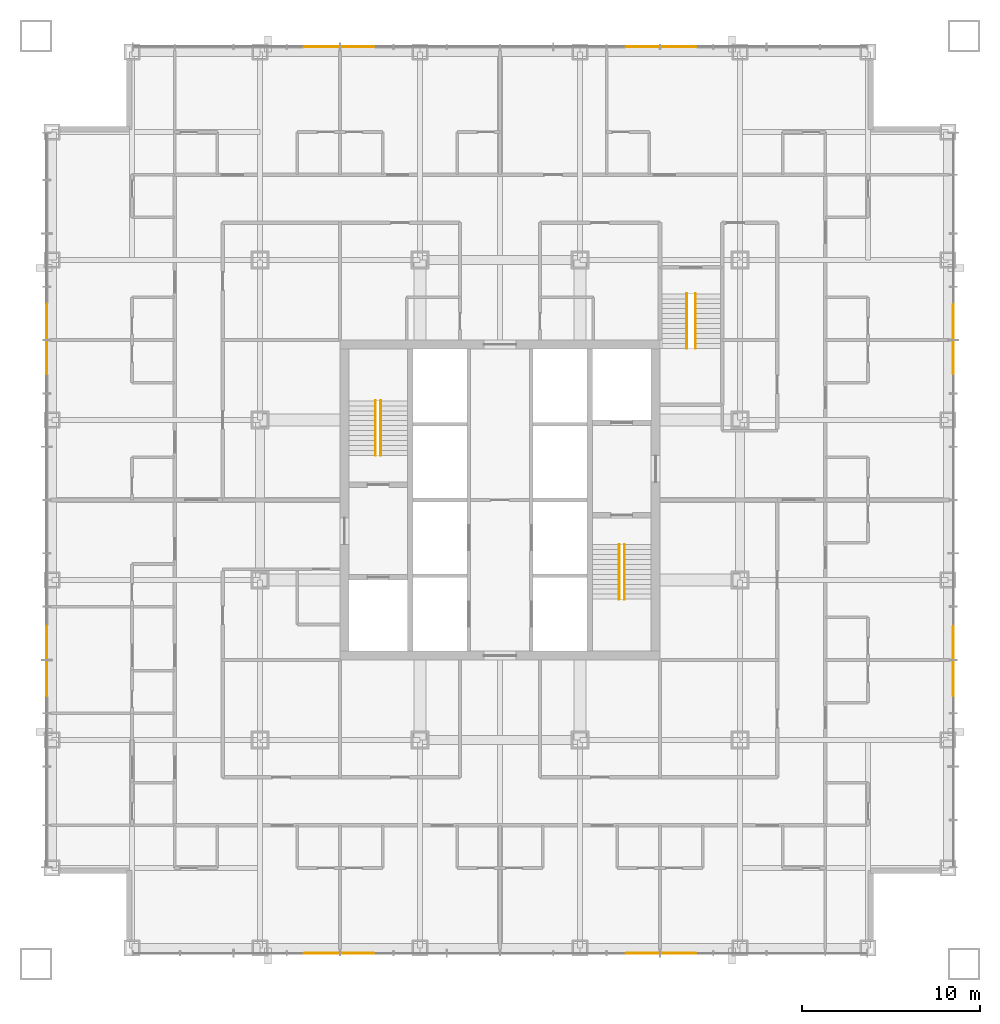
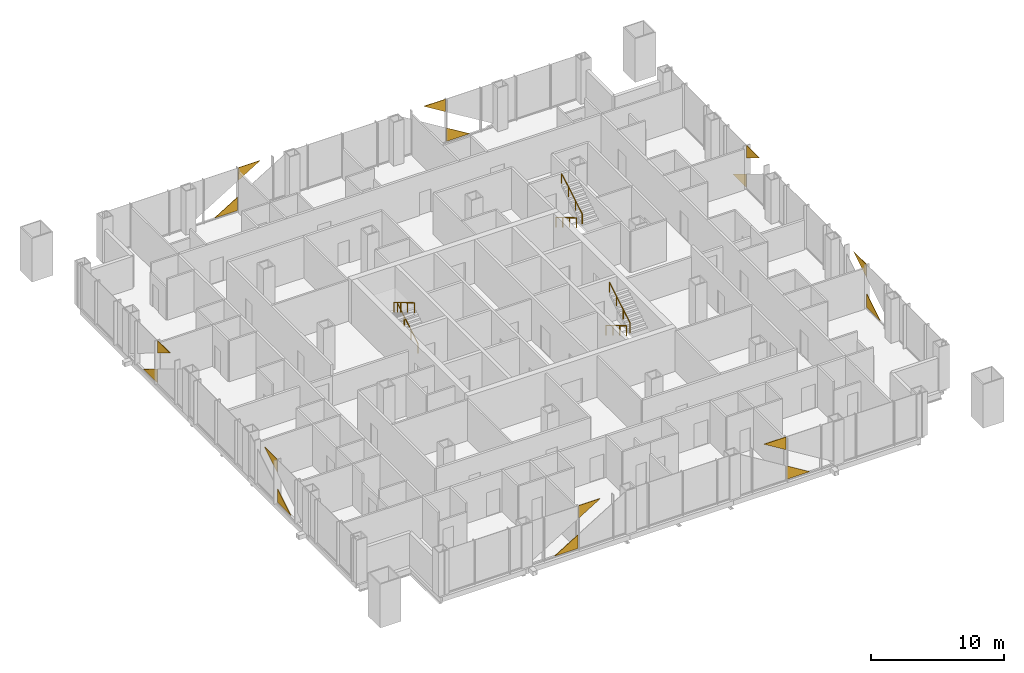
# One storey, part 13 of 13: 16 coverings, 6 railings.
"""IFC4 building model written with IfcOpenShell, lengths in metres."""

from ifc_helpers import new_model, si_unit, direction, frame, origin, origin_2d, place, context, subcontext, project, spatial, polyline, circle, outline, extrude, material, layer, layer_set, type_object, element, save


model = new_model("IFC4")

# Units and contexts
model_context = context("Model", 3, precision=1e-05, world=origin(), true_north=direction((0.0, 1.0)))
body_context = subcontext(model_context, "Body", "Model", "MODEL_VIEW")
ifc_project = project(units=[si_unit("LENGTHUNIT", "METRE"), si_unit("AREAUNIT", "SQUARE_METRE"), si_unit("VOLUMEUNIT", "CUBIC_METRE"), si_unit("PLANEANGLEUNIT", "RADIAN"), si_unit("MASSUNIT", "GRAM", prefix="KILO")], contexts=[model_context])

# Site, building, storey
site_placement = place(None, origin())
site = spatial("IfcSite", under=ifc_project, at=site_placement, CompositionType="ELEMENT")
building_placement = place(site_placement, origin())
building = spatial("IfcBuilding", under=site, at=building_placement, Name="Malebo Sky Hospital", CompositionType="ELEMENT")
storey_placement = place(building_placement, frame((0.0, 0.0, 39.0)))
storey = spatial("IfcBuildingStorey", under=building, at=storey_placement, Name="L08", CompositionType="ELEMENT", Elevation=39.0)

# Coverings
ifc_material_1 = material(Name="Anodised aluminium, natural silver insulated infill panel", Category="aluminium")
ifc_layer = layer(ifc_material_1, 0.0400390625)
ifc_layer_set = layer_set([ifc_layer], Name="BRACE INFILL PANEL 40")
covering_type = type_object("IfcCoveringType", Name="BRACE INFILL PANEL 40", PredefinedType="CLADDING", material=ifc_layer_set)
covering_1_placement = place(storey_placement, frame((49.96240234375, 87.5, 0.10009765625), z_axis=(0.0, 0.0, 1.0), x_axis=(1.0, 0.0, 0.0)))
element("IfcCovering", 1, at=covering_1_placement, inside=storey, type_object=covering_type, Name="Brace infill panel 4.1", PredefinedType="CLADDING", context=body_context, shape_type="SweptSolid", body=[
    extrude(outline(polyline([(-1.0, 0.0), (1.000244140625, 0.0), (1.000244140625, 1.226318359375), (-1.0, 0.0)])), frame((0.0, 0.02001953125, 0.0), z_axis=(0.0, -1.0, 0.0), x_axis=(1.0, 0.0, 0.0)), (0.0, 0.0, 1.0), 0.0400390625),
])
covering_2_placement = place(storey_placement, frame((51.975830078125, 87.5, 2.839599609375), z_axis=(0.0, 0.0, 1.0), x_axis=(1.0, 0.0, 0.0)))
element("IfcCovering", 2, at=covering_2_placement, inside=storey, type_object=covering_type, Name="Brace infill panel 5.1", PredefinedType="CLADDING", context=body_context, shape_type="SweptSolid", body=[
    extrude(outline(polyline([(-0.9384765625, 0.0), (0.938232421875, 1.150390625), (-0.9384765625, 1.150390625), (-0.9384765625, 0.0)])), frame((0.0, 0.02001953125, 0.0), z_axis=(0.0, -1.0, 0.0), x_axis=(1.0, 0.0, 0.0)), (0.0, 0.0, 1.0), 0.0400390625),
])
covering_3_placement = place(storey_placement, frame((68.024169921875, 87.5, 2.839599609375), z_axis=(0.0, 0.0, 1.0), x_axis=(1.0, 0.0, 0.0)))
element("IfcCovering", 3, at=covering_3_placement, inside=storey, type_object=covering_type, Name="Brace infill panel 10.1", PredefinedType="CLADDING", context=body_context, shape_type="SweptSolid", body=[
    extrude(outline(polyline([(0.9384765625, 0.0), (0.9384765625, 1.150390625), (-0.938232421875, 1.150390625), (0.9384765625, 0.0)])), frame((0.0, 0.02001953125, 0.0), z_axis=(0.0, -1.0, 0.0), x_axis=(1.0, 0.0, 0.0)), (0.0, 0.0, 1.0), 0.0400390625),
])
covering_4_placement = place(storey_placement, frame((70.03759765625, 87.5, 0.10009765625), z_axis=(0.0, 0.0, 1.0), x_axis=(1.0, 0.0, 0.0)))
element("IfcCovering", 4, at=covering_4_placement, inside=storey, type_object=covering_type, Name="Brace infill panel 11.1", PredefinedType="CLADDING", context=body_context, shape_type="SweptSolid", body=[
    extrude(outline(polyline([(-1.000244140625, 0.0), (1.0, 0.0), (-1.000244140625, 1.226318359375), (-1.000244140625, 0.0)])), frame((0.0, 0.02001953125, 0.0), z_axis=(0.0, -1.0, 0.0), x_axis=(1.0, 0.0, 0.0)), (0.0, 0.0, 1.0), 0.0400390625),
])
covering_5_placement = place(storey_placement, frame((34.5, 51.96240234375, 0.10009765625), z_axis=(0.0, 0.0, 1.0), x_axis=(0.0, 1.0, 0.0)))
element("IfcCovering", 5, at=covering_5_placement, inside=storey, type_object=covering_type, Name="Brace infill panel 4.1", PredefinedType="CLADDING", context=body_context, shape_type="SweptSolid", body=[
    extrude(outline(polyline([(-1.0, 0.0), (1.000244140625, 0.0), (1.000244140625, 1.226318359375), (-1.0, 0.0)])), frame((0.0, 0.02001953125, 0.0), z_axis=(0.0, -1.0, 0.0), x_axis=(1.0, 0.0, 0.0)), (0.0, 0.0, 1.0), 0.0400390625),
])
covering_6_placement = place(storey_placement, frame((34.5, 53.975830078125, 2.839599609375), z_axis=(0.0, 0.0, 1.0), x_axis=(0.0, 1.0, 0.0)))
element("IfcCovering", 6, at=covering_6_placement, inside=storey, type_object=covering_type, Name="Brace infill panel 5.1", PredefinedType="CLADDING", context=body_context, shape_type="SweptSolid", body=[
    extrude(outline(polyline([(-0.9384765625, 0.0), (0.938232421875, 1.150390625), (-0.9384765625, 1.150390625), (-0.9384765625, 0.0)])), frame((0.0, 0.02001953125, 0.0), z_axis=(0.0, -1.0, 0.0), x_axis=(1.0, 0.0, 0.0)), (0.0, 0.0, 1.0), 0.0400390625),
])
covering_7_placement = place(storey_placement, frame((34.5, 70.024169921875, 2.839599609375), z_axis=(0.0, 0.0, 1.0), x_axis=(0.0, 1.0, 0.0)))
element("IfcCovering", 7, at=covering_7_placement, inside=storey, type_object=covering_type, Name="Brace infill panel 10.1", PredefinedType="CLADDING", context=body_context, shape_type="SweptSolid", body=[
    extrude(outline(polyline([(0.9384765625, 0.0), (0.9384765625, 1.150390625), (-0.938232421875, 1.150390625), (0.9384765625, 0.0)])), frame((0.0, 0.02001953125, 0.0), z_axis=(0.0, -1.0, 0.0), x_axis=(1.0, 0.0, 0.0)), (0.0, 0.0, 1.0), 0.0400390625),
])
covering_8_placement = place(storey_placement, frame((34.5, 72.03759765625, 0.10009765625), z_axis=(0.0, 0.0, 1.0), x_axis=(0.0, 1.0, 0.0)))
element("IfcCovering", 8, at=covering_8_placement, inside=storey, type_object=covering_type, Name="Brace infill panel 11.1", PredefinedType="CLADDING", context=body_context, shape_type="SweptSolid", body=[
    extrude(outline(polyline([(-1.000244140625, 0.0), (1.0, 0.0), (-1.000244140625, 1.226318359375), (-1.000244140625, 0.0)])), frame((0.0, 0.02001953125, 0.0), z_axis=(0.0, -1.0, 0.0), x_axis=(1.0, 0.0, 0.0)), (0.0, 0.0, 1.0), 0.0400390625),
])
covering_9_placement = place(storey_placement, frame((70.03759765625, 36.5, 0.10009765625), z_axis=(0.0, 0.0, 1.0), x_axis=(-1.0, 0.0, 0.0)))
element("IfcCovering", 9, at=covering_9_placement, inside=storey, type_object=covering_type, Name="Brace infill panel 4.1", PredefinedType="CLADDING", context=body_context, shape_type="SweptSolid", body=[
    extrude(outline(polyline([(-1.0, 0.0), (1.000244140625, 0.0), (1.000244140625, 1.226318359375), (-1.0, 0.0)])), frame((0.0, 0.02001953125, 0.0), z_axis=(0.0, -1.0, 0.0), x_axis=(1.0, 0.0, 0.0)), (0.0, 0.0, 1.0), 0.0400390625),
])
covering_10_placement = place(storey_placement, frame((68.024169921875, 36.5, 2.839599609375), z_axis=(0.0, 0.0, 1.0), x_axis=(-1.0, 0.0, 0.0)))
element("IfcCovering", 10, at=covering_10_placement, inside=storey, type_object=covering_type, Name="Brace infill panel 5.1", PredefinedType="CLADDING", context=body_context, shape_type="SweptSolid", body=[
    extrude(outline(polyline([(-0.9384765625, 0.0), (0.938232421875, 1.150390625), (-0.9384765625, 1.150390625), (-0.9384765625, 0.0)])), frame((0.0, 0.02001953125, 0.0), z_axis=(0.0, -1.0, 0.0), x_axis=(1.0, 0.0, 0.0)), (0.0, 0.0, 1.0), 0.0400390625),
])
covering_11_placement = place(storey_placement, frame((51.975830078125, 36.5, 2.839599609375), z_axis=(0.0, 0.0, 1.0), x_axis=(-1.0, 0.0, 0.0)))
element("IfcCovering", 11, at=covering_11_placement, inside=storey, type_object=covering_type, Name="Brace infill panel 10.1", PredefinedType="CLADDING", context=body_context, shape_type="SweptSolid", body=[
    extrude(outline(polyline([(0.9384765625, 0.0), (0.9384765625, 1.150390625), (-0.938232421875, 1.150390625), (0.9384765625, 0.0)])), frame((0.0, 0.02001953125, 0.0), z_axis=(0.0, -1.0, 0.0), x_axis=(1.0, 0.0, 0.0)), (0.0, 0.0, 1.0), 0.0400390625),
])
covering_12_placement = place(storey_placement, frame((49.96240234375, 36.5, 0.10009765625), z_axis=(0.0, 0.0, 1.0), x_axis=(-1.0, 0.0, 0.0)))
element("IfcCovering", 12, at=covering_12_placement, inside=storey, type_object=covering_type, Name="Brace infill panel 11.1", PredefinedType="CLADDING", context=body_context, shape_type="SweptSolid", body=[
    extrude(outline(polyline([(-1.000244140625, 0.0), (1.0, 0.0), (-1.000244140625, 1.226318359375), (-1.000244140625, 0.0)])), frame((0.0, 0.02001953125, 0.0), z_axis=(0.0, -1.0, 0.0), x_axis=(1.0, 0.0, 0.0)), (0.0, 0.0, 1.0), 0.0400390625),
])
covering_13_placement = place(storey_placement, frame((85.5, 72.03759765625, 0.10009765625), z_axis=(0.0, 0.0, 1.0), x_axis=(0.0, -1.0, 0.0)))
element("IfcCovering", 13, at=covering_13_placement, inside=storey, type_object=covering_type, Name="Brace infill panel 4.1", PredefinedType="CLADDING", context=body_context, shape_type="SweptSolid", body=[
    extrude(outline(polyline([(-1.0, 0.0), (1.000244140625, 0.0), (1.000244140625, 1.226318359375), (-1.0, 0.0)])), frame((0.0, 0.02001953125, 0.0), z_axis=(0.0, -1.0, 0.0), x_axis=(1.0, 0.0, 0.0)), (0.0, 0.0, 1.0), 0.0400390625),
])
covering_14_placement = place(storey_placement, frame((85.5, 70.024169921875, 2.839599609375), z_axis=(0.0, 0.0, 1.0), x_axis=(0.0, -1.0, 0.0)))
element("IfcCovering", 14, at=covering_14_placement, inside=storey, type_object=covering_type, Name="Brace infill panel 5.1", PredefinedType="CLADDING", context=body_context, shape_type="SweptSolid", body=[
    extrude(outline(polyline([(-0.9384765625, 0.0), (0.938232421875, 1.150390625), (-0.9384765625, 1.150390625), (-0.9384765625, 0.0)])), frame((0.0, 0.02001953125, 0.0), z_axis=(0.0, -1.0, 0.0), x_axis=(1.0, 0.0, 0.0)), (0.0, 0.0, 1.0), 0.0400390625),
])
covering_15_placement = place(storey_placement, frame((85.5, 53.975830078125, 2.839599609375), z_axis=(0.0, 0.0, 1.0), x_axis=(0.0, -1.0, 0.0)))
element("IfcCovering", 15, at=covering_15_placement, inside=storey, type_object=covering_type, Name="Brace infill panel 10.1", PredefinedType="CLADDING", context=body_context, shape_type="SweptSolid", body=[
    extrude(outline(polyline([(0.9384765625, 0.0), (0.9384765625, 1.150390625), (-0.938232421875, 1.150390625), (0.9384765625, 0.0)])), frame((0.0, 0.02001953125, 0.0), z_axis=(0.0, -1.0, 0.0), x_axis=(1.0, 0.0, 0.0)), (0.0, 0.0, 1.0), 0.0400390625),
])
covering_16_placement = place(storey_placement, frame((85.5, 51.96240234375, 0.10009765625), z_axis=(0.0, 0.0, 1.0), x_axis=(0.0, -1.0, 0.0)))
element("IfcCovering", 16, at=covering_16_placement, inside=storey, type_object=covering_type, Name="Brace infill panel 11.1", PredefinedType="CLADDING", context=body_context, shape_type="SweptSolid", body=[
    extrude(outline(polyline([(-1.000244140625, 0.0), (1.0, 0.0), (-1.000244140625, 1.226318359375), (-1.000244140625, 0.0)])), frame((0.0, 0.02001953125, 0.0), z_axis=(0.0, -1.0, 0.0), x_axis=(1.0, 0.0, 0.0)), (0.0, 0.0, 1.0), 0.0400390625),
])

# Railings
ifc_material_2 = material(Name="Stainless steel tube", Category="steel")
railing_type = type_object("IfcRailingType", Name="STAIR HANDRAIL 900", PredefinedType="HANDRAIL", material=ifc_material_2)
railing_1_placement = place(storey_placement, frame((53.300048828125, 64.5, 0.166748046875)))
element("IfcRailing", 17, at=railing_1_placement, inside=storey, type_object=railing_type, Name="Stair handrail S1 flight 1", PredefinedType="HANDRAIL", context=body_context, shape_type="SweptSolid", body=[
    extrude(circle(Radius=0.02392578125, at=origin_2d()), frame((0.0, 0.0, 0.8759765625), z_axis=(0.0, 0.859308565015, 0.511457515432), x_axis=(-1.0, 0.0, 0.0)), (0.0, 0.0, 1.0), 3.58447265625),
    extrude(circle(Radius=0.02099609375, at=origin_2d()), origin(), (0.0, 0.0, 1.0), 0.851806640625),
    extrude(circle(Radius=0.02099609375, at=origin_2d()), frame((0.0, 1.026611328125, 0.611083984375)), (0.0, 0.0, 1.0), 0.851806640625),
    extrude(circle(Radius=0.02099609375, at=origin_2d()), frame((0.0, 2.053466796875, 1.22216796875)), (0.0, 0.0, 1.0), 0.851806640625),
    extrude(circle(Radius=0.02099609375, at=origin_2d()), frame((0.0, 3.080078125, 1.833251953125)), (0.0, 0.0, 1.0), 0.851806640625),
])
for number, where, name in (
    (18, (53.0, 67.580078125, 2.166748046875), "Stair handrail S1 flight 2"),
    (19, (66.699951171875, 59.5, 0.166748046875), "Stair handrail S2 flight 1"),
):
    element("IfcRailing", number, at=place(storey_placement, frame(where)), inside=storey, type_object=railing_type, Name=name, PredefinedType="HANDRAIL", context=body_context, shape_type="SweptSolid", body=[
        extrude(circle(Radius=0.02392578125, at=origin_2d()), frame((0.0, 0.0, 0.8759765625), z_axis=(0.0, -0.859308565015, 0.511457515432), x_axis=(1.0, 0.0, 0.0)), (0.0, 0.0, 1.0), 3.58447265625),
        extrude(circle(Radius=0.02099609375, at=origin_2d()), origin(), (0.0, 0.0, 1.0), 0.851806640625),
        extrude(circle(Radius=0.02099609375, at=origin_2d()), frame((0.0, -1.026611328125, 0.611083984375)), (0.0, 0.0, 1.0), 0.851806640625),
        extrude(circle(Radius=0.02099609375, at=origin_2d()), frame((0.0, -2.053466796875, 1.22216796875)), (0.0, 0.0, 1.0), 0.851806640625),
        extrude(circle(Radius=0.02099609375, at=origin_2d()), frame((0.0, -3.080078125, 1.833251953125)), (0.0, 0.0, 1.0), 0.851806640625),
    ])
railing_2_placement = place(storey_placement, frame((67.0, 56.419921875, 2.166748046875)))
element("IfcRailing", 20, at=railing_2_placement, inside=storey, type_object=railing_type, Name="Stair handrail S2 flight 2", PredefinedType="HANDRAIL", context=body_context, shape_type="SweptSolid", body=[
    extrude(circle(Radius=0.02392578125, at=origin_2d()), frame((0.0, 0.0, 0.8759765625), z_axis=(0.0, 0.859308565015, 0.511457515432), x_axis=(-1.0, 0.0, 0.0)), (0.0, 0.0, 1.0), 3.58447265625),
    extrude(circle(Radius=0.02099609375, at=origin_2d()), origin(), (0.0, 0.0, 1.0), 0.851806640625),
    extrude(circle(Radius=0.02099609375, at=origin_2d()), frame((0.0, 1.026611328125, 0.611083984375)), (0.0, 0.0, 1.0), 0.851806640625),
    extrude(circle(Radius=0.02099609375, at=origin_2d()), frame((0.0, 2.053466796875, 1.22216796875)), (0.0, 0.0, 1.0), 0.851806640625),
    extrude(circle(Radius=0.02099609375, at=origin_2d()), frame((0.0, 3.080078125, 1.833251953125)), (0.0, 0.0, 1.0), 0.851806640625),
])
railing_3_placement = place(storey_placement, frame((70.5, 73.60009765625, 0.166748046875)))
element("IfcRailing", 21, at=railing_3_placement, inside=storey, type_object=railing_type, Name="Stair handrail S3 flight 1", PredefinedType="HANDRAIL", context=body_context, shape_type="SweptSolid", body=[
    extrude(circle(Radius=0.02392578125, at=origin_2d()), frame((0.0, 0.0, 0.8759765625), z_axis=(0.0, -0.859308565015, 0.511457515432), x_axis=(1.0, 0.0, 0.0)), (0.0, 0.0, 1.0), 3.58447265625),
    extrude(circle(Radius=0.02099609375, at=origin_2d()), origin(), (0.0, 0.0, 1.0), 0.851806640625),
    extrude(circle(Radius=0.02099609375, at=origin_2d()), frame((0.0, -1.026611328125, 0.611083984375)), (0.0, 0.0, 1.0), 0.851806640625),
    extrude(circle(Radius=0.02099609375, at=origin_2d()), frame((0.0, -2.053466796875, 1.22216796875)), (0.0, 0.0, 1.0), 0.851806640625),
    extrude(circle(Radius=0.02099609375, at=origin_2d()), frame((0.0, -3.080078125, 1.833251953125)), (0.0, 0.0, 1.0), 0.851806640625),
])
railing_4_placement = place(storey_placement, frame((71.0, 70.52001953125, 2.166748046875)))
element("IfcRailing", 22, at=railing_4_placement, inside=storey, type_object=railing_type, Name="Stair handrail S3 flight 2", PredefinedType="HANDRAIL", context=body_context, shape_type="SweptSolid", body=[
    extrude(circle(Radius=0.02392578125, at=origin_2d()), frame((0.0, 0.0, 0.8759765625), z_axis=(0.0, 0.859308565015, 0.511457515432), x_axis=(-1.0, 0.0, 0.0)), (0.0, 0.0, 1.0), 3.58447265625),
    extrude(circle(Radius=0.02099609375, at=origin_2d()), origin(), (0.0, 0.0, 1.0), 0.851806640625),
    extrude(circle(Radius=0.02099609375, at=origin_2d()), frame((0.0, 1.026611328125, 0.611083984375)), (0.0, 0.0, 1.0), 0.851806640625),
    extrude(circle(Radius=0.02099609375, at=origin_2d()), frame((0.0, 2.053466796875, 1.22216796875)), (0.0, 0.0, 1.0), 0.851806640625),
    extrude(circle(Radius=0.02099609375, at=origin_2d()), frame((0.0, 3.080078125, 1.833251953125)), (0.0, 0.0, 1.0), 0.851806640625),
])

save(model, "model.ifc")
